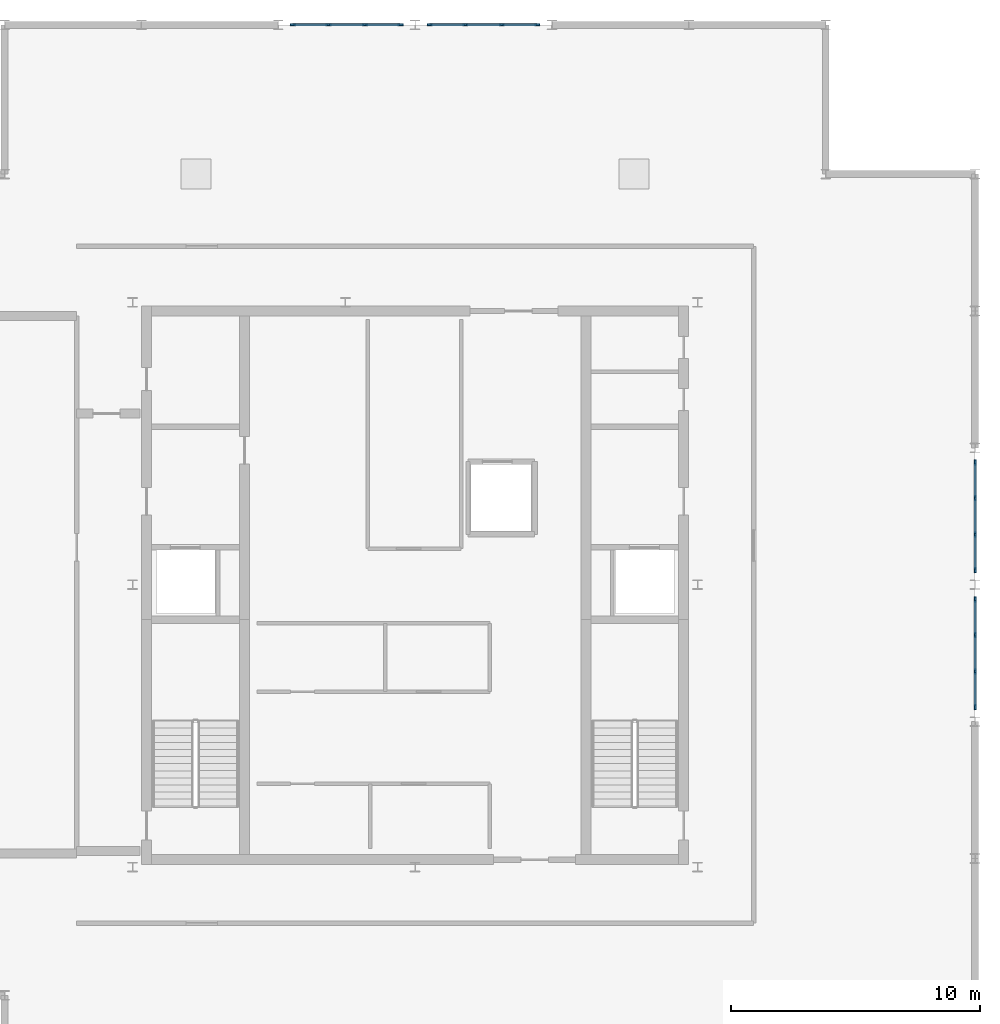
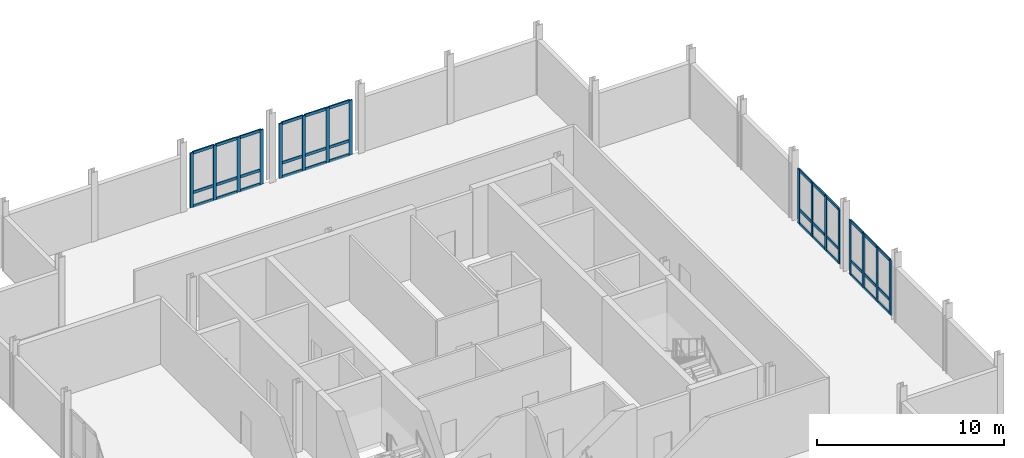
# One storey, part 3 of 7: 52 members, 4 elements without a shape of their own.
"""IFC4 building model written with IfcOpenShell, lengths in metres."""

from ifc_helpers import new_model, si_unit, direction, frame, origin, origin_2d, place, context, subcontext, project, spatial, rectangle, extrude, material, layer, layer_set, material_profile, profile_set, type_object, element, aggregate, save


model = new_model("IFC4")

# Units and contexts
model_context = context("Model", 3, precision=1e-05, world=origin(), true_north=direction((0.0, 1.0)))
body_context = subcontext(model_context, "Body", "Model", "MODEL_VIEW")
ifc_project = project(units=[si_unit("LENGTHUNIT", "METRE"), si_unit("AREAUNIT", "SQUARE_METRE"), si_unit("VOLUMEUNIT", "CUBIC_METRE"), si_unit("PLANEANGLEUNIT", "RADIAN"), si_unit("MASSUNIT", "GRAM", prefix="KILO")], contexts=[model_context])

# Site, building, storey
site_placement = place(None, origin())
site = spatial("IfcSite", under=ifc_project, at=site_placement, CompositionType="ELEMENT")
building_placement = place(site_placement, origin())
building = spatial("IfcBuilding", under=site, at=building_placement, Name="Nhamokura Convention Tower", CompositionType="ELEMENT")
storey_placement = place(building_placement, frame((0.0, 0.0, 326.89990234375)))
storey = spatial("IfcBuildingStorey", under=building, at=storey_placement, Name="L80", CompositionType="ELEMENT", Elevation=326.89990234375)

# Curtain wall, members
ifc_material_1 = material(Name="Anodised bronze aluminium AA6063-T6", Category="aluminium")
ifc_layer = layer(ifc_material_1, 0.2099609375)
ifc_layer_set = layer_set([ifc_layer], Name="CWSystem_SlantedCrown")
curtain_wall_type = type_object("IfcCurtainWallType", Name="CWSystem_SlantedCrown", PredefinedType="NOTDEFINED", material=ifc_layer_set)
curtain_wall_1_placement = place(storey_placement, origin())
curtain_wall_1 = element("IfcCurtainWall", 1, at=curtain_wall_1_placement, inside=storey, type_object=curtain_wall_type, Name="L80 Curtain Wall ENV-L80-CRCW-N2", PredefinedType="NOTDEFINED")
ifc_material_2 = material(Name="Anodised bronze aluminium AA6063-T6", Category="aluminium")
ifc_material_profile_1 = material_profile(ifc_material_2, rectangle(XDim=0.080078125, YDim=0.2099609375, at=origin_2d()))
ifc_profile_set_1 = profile_set([ifc_material_profile_1], Name="Anodised bronze aluminium AA6063-T6")
member_type_1 = type_object("IfcMemberType", Name="CWMullion_4", PredefinedType="MULLION", material=ifc_profile_set_1)
member_1_placement = place(storey_placement, frame((27.090087890625, 54.5, 0.0), z_axis=(0.0, 0.0, 1.0), x_axis=(0.0, 1.0, 0.0)))
member_1 = element("IfcMember", 2, at=member_1_placement, type_object=member_type_1, Name="CW-07 mullion 1", PredefinedType="MULLION", context=body_context, shape_type="SweptSolid", body=[
    extrude(rectangle(XDim=0.080078125, YDim=0.2099609375, at=origin_2d()), origin(), (0.0, 0.0, 1.0), 3.570068359375),
])
member_2_placement = place(storey_placement, frame((28.5166015625, 54.5, 0.0), z_axis=(0.0, 0.0, 1.0), x_axis=(0.0, 1.0, 0.0)))
member_2 = element("IfcMember", 3, at=member_2_placement, type_object=member_type_1, Name="CW-07 mullion 2", PredefinedType="MULLION", context=body_context, shape_type="SweptSolid", body=[
    extrude(rectangle(XDim=0.080078125, YDim=0.2099609375, at=origin_2d()), origin(), (0.0, 0.0, 1.0), 3.570068359375),
])
member_3_placement = place(storey_placement, frame((29.9833984375, 54.5, 0.0), z_axis=(0.0, 0.0, 1.0), x_axis=(0.0, 1.0, 0.0)))
member_3 = element("IfcMember", 4, at=member_3_placement, type_object=member_type_1, Name="CW-07 mullion 3", PredefinedType="MULLION", context=body_context, shape_type="SweptSolid", body=[
    extrude(rectangle(XDim=0.080078125, YDim=0.2099609375, at=origin_2d()), origin(), (0.0, 0.0, 1.0), 3.570068359375),
])
member_4_placement = place(storey_placement, frame((31.409912109375, 54.5, 0.0), z_axis=(0.0, 0.0, 1.0), x_axis=(0.0, 1.0, 0.0)))
member_4 = element("IfcMember", 5, at=member_4_placement, type_object=member_type_1, Name="CW-07 mullion 4", PredefinedType="MULLION", context=body_context, shape_type="SweptSolid", body=[
    extrude(rectangle(XDim=0.080078125, YDim=0.2099609375, at=origin_2d()), origin(), (0.0, 0.0, 1.0), 3.570068359375),
])

curtain_wall_2_placement = place(storey_placement, origin())
curtain_wall_2 = element("IfcCurtainWall", 6, at=curtain_wall_2_placement, inside=storey, type_object=curtain_wall_type, Name="L80 Curtain Wall ENV-L80-CRCW-N3", PredefinedType="NOTDEFINED")
member_5_placement = place(storey_placement, frame((32.590087890625, 54.5, 0.0), z_axis=(0.0, 0.0, 1.0), x_axis=(0.0, 1.0, 0.0)))
member_5 = element("IfcMember", 7, at=member_5_placement, type_object=member_type_1, Name="CW-07 mullion 1", PredefinedType="MULLION", context=body_context, shape_type="SweptSolid", body=[
    extrude(rectangle(XDim=0.080078125, YDim=0.2099609375, at=origin_2d()), origin(), (0.0, 0.0, 1.0), 3.570068359375),
])
member_6_placement = place(storey_placement, frame((34.0166015625, 54.5, 0.0), z_axis=(0.0, 0.0, 1.0), x_axis=(0.0, 1.0, 0.0)))
member_6 = element("IfcMember", 8, at=member_6_placement, type_object=member_type_1, Name="CW-07 mullion 2", PredefinedType="MULLION", context=body_context, shape_type="SweptSolid", body=[
    extrude(rectangle(XDim=0.080078125, YDim=0.2099609375, at=origin_2d()), origin(), (0.0, 0.0, 1.0), 3.570068359375),
])
member_7_placement = place(storey_placement, frame((35.4833984375, 54.5, 0.0), z_axis=(0.0, 0.0, 1.0), x_axis=(0.0, 1.0, 0.0)))
member_7 = element("IfcMember", 9, at=member_7_placement, type_object=member_type_1, Name="CW-07 mullion 3", PredefinedType="MULLION", context=body_context, shape_type="SweptSolid", body=[
    extrude(rectangle(XDim=0.080078125, YDim=0.2099609375, at=origin_2d()), origin(), (0.0, 0.0, 1.0), 3.570068359375),
])
member_8_placement = place(storey_placement, frame((36.909912109375, 54.5, 0.0), z_axis=(0.0, 0.0, 1.0), x_axis=(0.0, 1.0, 0.0)))
member_8 = element("IfcMember", 10, at=member_8_placement, type_object=member_type_1, Name="CW-07 mullion 4", PredefinedType="MULLION", context=body_context, shape_type="SweptSolid", body=[
    extrude(rectangle(XDim=0.080078125, YDim=0.2099609375, at=origin_2d()), origin(), (0.0, 0.0, 1.0), 3.570068359375),
])

curtain_wall_3_placement = place(storey_placement, origin())
curtain_wall_3 = element("IfcCurtainWall", 11, at=curtain_wall_3_placement, inside=storey, type_object=curtain_wall_type, Name="L80 Curtain Wall ENV-L80-CRCW-E2", PredefinedType="NOTDEFINED")
member_9_placement = place(storey_placement, frame((54.5, 31.409912109375, 0.0), z_axis=(0.0, 0.0, 1.0), x_axis=(1.0, 0.0, 0.0)))
member_9 = element("IfcMember", 12, at=member_9_placement, type_object=member_type_1, Name="CW-07 mullion 1", PredefinedType="MULLION", context=body_context, shape_type="SweptSolid", body=[
    extrude(rectangle(XDim=0.080078125, YDim=0.2099609375, at=origin_2d()), origin(), (0.0, 0.0, 1.0), 3.570068359375),
])
member_10_placement = place(storey_placement, frame((54.5, 29.9833984375, 0.0), z_axis=(0.0, 0.0, 1.0), x_axis=(1.0, 0.0, 0.0)))
member_10 = element("IfcMember", 13, at=member_10_placement, type_object=member_type_1, Name="CW-07 mullion 2", PredefinedType="MULLION", context=body_context, shape_type="SweptSolid", body=[
    extrude(rectangle(XDim=0.080078125, YDim=0.2099609375, at=origin_2d()), origin(), (0.0, 0.0, 1.0), 3.570068359375),
])
member_11_placement = place(storey_placement, frame((54.5, 28.5166015625, 0.0), z_axis=(0.0, 0.0, 1.0), x_axis=(1.0, 0.0, 0.0)))
member_11 = element("IfcMember", 14, at=member_11_placement, type_object=member_type_1, Name="CW-07 mullion 3", PredefinedType="MULLION", context=body_context, shape_type="SweptSolid", body=[
    extrude(rectangle(XDim=0.080078125, YDim=0.2099609375, at=origin_2d()), origin(), (0.0, 0.0, 1.0), 3.570068359375),
])
member_12_placement = place(storey_placement, frame((54.5, 27.090087890625, 0.0), z_axis=(0.0, 0.0, 1.0), x_axis=(1.0, 0.0, 0.0)))
member_12 = element("IfcMember", 15, at=member_12_placement, type_object=member_type_1, Name="CW-07 mullion 4", PredefinedType="MULLION", context=body_context, shape_type="SweptSolid", body=[
    extrude(rectangle(XDim=0.080078125, YDim=0.2099609375, at=origin_2d()), origin(), (0.0, 0.0, 1.0), 3.570068359375),
])

curtain_wall_4_placement = place(storey_placement, origin())
curtain_wall_4 = element("IfcCurtainWall", 16, at=curtain_wall_4_placement, inside=storey, type_object=curtain_wall_type, Name="L80 Curtain Wall ENV-L80-CRCW-E3", PredefinedType="NOTDEFINED")
member_13_placement = place(storey_placement, frame((54.5, 36.909912109375, 0.0), z_axis=(0.0, 0.0, 1.0), x_axis=(1.0, 0.0, 0.0)))
member_13 = element("IfcMember", 17, at=member_13_placement, type_object=member_type_1, Name="CW-07 mullion 1", PredefinedType="MULLION", context=body_context, shape_type="SweptSolid", body=[
    extrude(rectangle(XDim=0.080078125, YDim=0.2099609375, at=origin_2d()), origin(), (0.0, 0.0, 1.0), 3.570068359375),
])
member_14_placement = place(storey_placement, frame((54.5, 35.4833984375, 0.0), z_axis=(0.0, 0.0, 1.0), x_axis=(1.0, 0.0, 0.0)))
member_14 = element("IfcMember", 18, at=member_14_placement, type_object=member_type_1, Name="CW-07 mullion 2", PredefinedType="MULLION", context=body_context, shape_type="SweptSolid", body=[
    extrude(rectangle(XDim=0.080078125, YDim=0.2099609375, at=origin_2d()), origin(), (0.0, 0.0, 1.0), 3.570068359375),
])
member_15_placement = place(storey_placement, frame((54.5, 34.0166015625, 0.0), z_axis=(0.0, 0.0, 1.0), x_axis=(1.0, 0.0, 0.0)))
member_15 = element("IfcMember", 19, at=member_15_placement, type_object=member_type_1, Name="CW-07 mullion 3", PredefinedType="MULLION", context=body_context, shape_type="SweptSolid", body=[
    extrude(rectangle(XDim=0.080078125, YDim=0.2099609375, at=origin_2d()), origin(), (0.0, 0.0, 1.0), 3.570068359375),
])
member_16_placement = place(storey_placement, frame((54.5, 32.590087890625, 0.0), z_axis=(0.0, 0.0, 1.0), x_axis=(1.0, 0.0, 0.0)))
member_16 = element("IfcMember", 20, at=member_16_placement, type_object=member_type_1, Name="CW-07 mullion 4", PredefinedType="MULLION", context=body_context, shape_type="SweptSolid", body=[
    extrude(rectangle(XDim=0.080078125, YDim=0.2099609375, at=origin_2d()), origin(), (0.0, 0.0, 1.0), 3.570068359375),
])

# Member
ifc_material_3 = material(Name="Anodised bronze aluminium AA6063-T6", Category="aluminium")
ifc_material_profile_2 = material_profile(ifc_material_3, rectangle(XDim=0.080078125, YDim=0.18505859375, at=origin_2d()))
ifc_profile_set_2 = profile_set([ifc_material_profile_2], Name="Anodised bronze aluminium AA6063-T6")
member_type_2 = type_object("IfcMemberType", Name="CWTransom_4", PredefinedType="USERDEFINED", material=ifc_profile_set_2)
member_17_placement = place(storey_placement, frame((27.1298828125, 54.5, 0.0400390625), z_axis=(1.0, 0.0, 0.0), x_axis=(0.0, 1.0, 0.0)))
member_17 = element("IfcMember", 21, at=member_17_placement, type_object=member_type_2, Name="CW-07 transom 1.1", ObjectType="TRANSOM", PredefinedType="USERDEFINED", context=body_context, shape_type="SweptSolid", body=[
    extrude(rectangle(XDim=0.080078125, YDim=0.18505859375, at=origin_2d()), origin(), (0.0, 0.0, 1.0), 1.3466796875),
])

member_18_placement = place(storey_placement, frame((27.1298828125, 54.5, 0.9501953125), z_axis=(1.0, 0.0, 0.0), x_axis=(0.0, 1.0, 0.0)))
member_18 = element("IfcMember", 22, at=member_18_placement, type_object=member_type_2, Name="CW-07 transom 1.2", ObjectType="TRANSOM", PredefinedType="USERDEFINED", context=body_context, shape_type="SweptSolid", body=[
    extrude(rectangle(XDim=0.080078125, YDim=0.18505859375, at=origin_2d()), origin(), (0.0, 0.0, 1.0), 1.3466796875),
])

member_19_placement = place(storey_placement, frame((27.1298828125, 54.5, 3.530029296875), z_axis=(1.0, 0.0, 0.0), x_axis=(0.0, 1.0, 0.0)))
member_19 = element("IfcMember", 23, at=member_19_placement, type_object=member_type_2, Name="CW-07 transom 1.3", ObjectType="TRANSOM", PredefinedType="USERDEFINED", context=body_context, shape_type="SweptSolid", body=[
    extrude(rectangle(XDim=0.080078125, YDim=0.18505859375, at=origin_2d()), origin(), (0.0, 0.0, 1.0), 1.3466796875),
])

member_20_placement = place(storey_placement, frame((28.556640625, 54.5, 0.0400390625), z_axis=(1.0, 0.0, 0.0), x_axis=(0.0, 1.0, 0.0)))
member_20 = element("IfcMember", 24, at=member_20_placement, type_object=member_type_2, Name="CW-07 transom 2.1", ObjectType="TRANSOM", PredefinedType="USERDEFINED", context=body_context, shape_type="SweptSolid", body=[
    extrude(rectangle(XDim=0.080078125, YDim=0.18505859375, at=origin_2d()), origin(), (0.0, 0.0, 1.0), 1.38671875),
])

member_21_placement = place(storey_placement, frame((28.556640625, 54.5, 0.9501953125), z_axis=(1.0, 0.0, 0.0), x_axis=(0.0, 1.0, 0.0)))
member_21 = element("IfcMember", 25, at=member_21_placement, type_object=member_type_2, Name="CW-07 transom 2.2", ObjectType="TRANSOM", PredefinedType="USERDEFINED", context=body_context, shape_type="SweptSolid", body=[
    extrude(rectangle(XDim=0.080078125, YDim=0.18505859375, at=origin_2d()), origin(), (0.0, 0.0, 1.0), 1.38671875),
])

member_22_placement = place(storey_placement, frame((28.556640625, 54.5, 3.530029296875), z_axis=(1.0, 0.0, 0.0), x_axis=(0.0, 1.0, 0.0)))
member_22 = element("IfcMember", 26, at=member_22_placement, type_object=member_type_2, Name="CW-07 transom 2.3", ObjectType="TRANSOM", PredefinedType="USERDEFINED", context=body_context, shape_type="SweptSolid", body=[
    extrude(rectangle(XDim=0.080078125, YDim=0.18505859375, at=origin_2d()), origin(), (0.0, 0.0, 1.0), 1.38671875),
])

member_23_placement = place(storey_placement, frame((30.0234375, 54.5, 0.0400390625), z_axis=(1.0, 0.0, 0.0), x_axis=(0.0, 1.0, 0.0)))
member_23 = element("IfcMember", 27, at=member_23_placement, type_object=member_type_2, Name="CW-07 transom 3.1", ObjectType="TRANSOM", PredefinedType="USERDEFINED", context=body_context, shape_type="SweptSolid", body=[
    extrude(rectangle(XDim=0.080078125, YDim=0.18505859375, at=origin_2d()), origin(), (0.0, 0.0, 1.0), 1.3466796875),
])

member_24_placement = place(storey_placement, frame((30.0234375, 54.5, 0.9501953125), z_axis=(1.0, 0.0, 0.0), x_axis=(0.0, 1.0, 0.0)))
member_24 = element("IfcMember", 28, at=member_24_placement, type_object=member_type_2, Name="CW-07 transom 3.2", ObjectType="TRANSOM", PredefinedType="USERDEFINED", context=body_context, shape_type="SweptSolid", body=[
    extrude(rectangle(XDim=0.080078125, YDim=0.18505859375, at=origin_2d()), origin(), (0.0, 0.0, 1.0), 1.3466796875),
])

member_25_placement = place(storey_placement, frame((30.0234375, 54.5, 3.530029296875), z_axis=(1.0, 0.0, 0.0), x_axis=(0.0, 1.0, 0.0)))
member_25 = element("IfcMember", 29, at=member_25_placement, type_object=member_type_2, Name="CW-07 transom 3.3", ObjectType="TRANSOM", PredefinedType="USERDEFINED", context=body_context, shape_type="SweptSolid", body=[
    extrude(rectangle(XDim=0.080078125, YDim=0.18505859375, at=origin_2d()), origin(), (0.0, 0.0, 1.0), 1.3466796875),
])

aggregate(curtain_wall_1, [member_1, member_2, member_3, member_4, member_17, member_18, member_19, member_20, member_21, member_22, member_23, member_24, member_25])

member_26_placement = place(storey_placement, frame((32.6298828125, 54.5, 0.0400390625), z_axis=(1.0, 0.0, 0.0), x_axis=(0.0, 1.0, 0.0)))
member_26 = element("IfcMember", 30, at=member_26_placement, type_object=member_type_2, Name="CW-07 transom 1.1", ObjectType="TRANSOM", PredefinedType="USERDEFINED", context=body_context, shape_type="SweptSolid", body=[
    extrude(rectangle(XDim=0.080078125, YDim=0.18505859375, at=origin_2d()), origin(), (0.0, 0.0, 1.0), 1.3466796875),
])

member_27_placement = place(storey_placement, frame((32.6298828125, 54.5, 0.9501953125), z_axis=(1.0, 0.0, 0.0), x_axis=(0.0, 1.0, 0.0)))
member_27 = element("IfcMember", 31, at=member_27_placement, type_object=member_type_2, Name="CW-07 transom 1.2", ObjectType="TRANSOM", PredefinedType="USERDEFINED", context=body_context, shape_type="SweptSolid", body=[
    extrude(rectangle(XDim=0.080078125, YDim=0.18505859375, at=origin_2d()), origin(), (0.0, 0.0, 1.0), 1.3466796875),
])

member_28_placement = place(storey_placement, frame((32.6298828125, 54.5, 3.530029296875), z_axis=(1.0, 0.0, 0.0), x_axis=(0.0, 1.0, 0.0)))
member_28 = element("IfcMember", 32, at=member_28_placement, type_object=member_type_2, Name="CW-07 transom 1.3", ObjectType="TRANSOM", PredefinedType="USERDEFINED", context=body_context, shape_type="SweptSolid", body=[
    extrude(rectangle(XDim=0.080078125, YDim=0.18505859375, at=origin_2d()), origin(), (0.0, 0.0, 1.0), 1.3466796875),
])

member_29_placement = place(storey_placement, frame((34.056640625, 54.5, 0.0400390625), z_axis=(1.0, 0.0, 0.0), x_axis=(0.0, 1.0, 0.0)))
member_29 = element("IfcMember", 33, at=member_29_placement, type_object=member_type_2, Name="CW-07 transom 2.1", ObjectType="TRANSOM", PredefinedType="USERDEFINED", context=body_context, shape_type="SweptSolid", body=[
    extrude(rectangle(XDim=0.080078125, YDim=0.18505859375, at=origin_2d()), origin(), (0.0, 0.0, 1.0), 1.38671875),
])

member_30_placement = place(storey_placement, frame((34.056640625, 54.5, 0.9501953125), z_axis=(1.0, 0.0, 0.0), x_axis=(0.0, 1.0, 0.0)))
member_30 = element("IfcMember", 34, at=member_30_placement, type_object=member_type_2, Name="CW-07 transom 2.2", ObjectType="TRANSOM", PredefinedType="USERDEFINED", context=body_context, shape_type="SweptSolid", body=[
    extrude(rectangle(XDim=0.080078125, YDim=0.18505859375, at=origin_2d()), origin(), (0.0, 0.0, 1.0), 1.38671875),
])

member_31_placement = place(storey_placement, frame((34.056640625, 54.5, 3.530029296875), z_axis=(1.0, 0.0, 0.0), x_axis=(0.0, 1.0, 0.0)))
member_31 = element("IfcMember", 35, at=member_31_placement, type_object=member_type_2, Name="CW-07 transom 2.3", ObjectType="TRANSOM", PredefinedType="USERDEFINED", context=body_context, shape_type="SweptSolid", body=[
    extrude(rectangle(XDim=0.080078125, YDim=0.18505859375, at=origin_2d()), origin(), (0.0, 0.0, 1.0), 1.38671875),
])

member_32_placement = place(storey_placement, frame((35.5234375, 54.5, 0.0400390625), z_axis=(1.0, 0.0, 0.0), x_axis=(0.0, 1.0, 0.0)))
member_32 = element("IfcMember", 36, at=member_32_placement, type_object=member_type_2, Name="CW-07 transom 3.1", ObjectType="TRANSOM", PredefinedType="USERDEFINED", context=body_context, shape_type="SweptSolid", body=[
    extrude(rectangle(XDim=0.080078125, YDim=0.18505859375, at=origin_2d()), origin(), (0.0, 0.0, 1.0), 1.3466796875),
])

member_33_placement = place(storey_placement, frame((35.5234375, 54.5, 0.9501953125), z_axis=(1.0, 0.0, 0.0), x_axis=(0.0, 1.0, 0.0)))
member_33 = element("IfcMember", 37, at=member_33_placement, type_object=member_type_2, Name="CW-07 transom 3.2", ObjectType="TRANSOM", PredefinedType="USERDEFINED", context=body_context, shape_type="SweptSolid", body=[
    extrude(rectangle(XDim=0.080078125, YDim=0.18505859375, at=origin_2d()), origin(), (0.0, 0.0, 1.0), 1.3466796875),
])

member_34_placement = place(storey_placement, frame((35.5234375, 54.5, 3.530029296875), z_axis=(1.0, 0.0, 0.0), x_axis=(0.0, 1.0, 0.0)))
member_34 = element("IfcMember", 38, at=member_34_placement, type_object=member_type_2, Name="CW-07 transom 3.3", ObjectType="TRANSOM", PredefinedType="USERDEFINED", context=body_context, shape_type="SweptSolid", body=[
    extrude(rectangle(XDim=0.080078125, YDim=0.18505859375, at=origin_2d()), origin(), (0.0, 0.0, 1.0), 1.3466796875),
])

aggregate(curtain_wall_2, [member_5, member_6, member_7, member_8, member_26, member_27, member_28, member_29, member_30, member_31, member_32, member_33, member_34])

member_35_placement = place(storey_placement, frame((54.5, 31.3701171875, 0.0400390625), z_axis=(0.0, -1.0, 0.0), x_axis=(1.0, 0.0, 0.0)))
member_35 = element("IfcMember", 39, at=member_35_placement, type_object=member_type_2, Name="CW-07 transom 1.1", ObjectType="TRANSOM", PredefinedType="USERDEFINED", context=body_context, shape_type="SweptSolid", body=[
    extrude(rectangle(XDim=0.080078125, YDim=0.18505859375, at=origin_2d()), origin(), (0.0, 0.0, 1.0), 1.3466796875),
])

member_36_placement = place(storey_placement, frame((54.5, 31.3701171875, 0.9501953125), z_axis=(0.0, -1.0, 0.0), x_axis=(1.0, 0.0, 0.0)))
member_36 = element("IfcMember", 40, at=member_36_placement, type_object=member_type_2, Name="CW-07 transom 1.2", ObjectType="TRANSOM", PredefinedType="USERDEFINED", context=body_context, shape_type="SweptSolid", body=[
    extrude(rectangle(XDim=0.080078125, YDim=0.18505859375, at=origin_2d()), origin(), (0.0, 0.0, 1.0), 1.3466796875),
])

member_37_placement = place(storey_placement, frame((54.5, 31.3701171875, 3.530029296875), z_axis=(0.0, -1.0, 0.0), x_axis=(1.0, 0.0, 0.0)))
member_37 = element("IfcMember", 41, at=member_37_placement, type_object=member_type_2, Name="CW-07 transom 1.3", ObjectType="TRANSOM", PredefinedType="USERDEFINED", context=body_context, shape_type="SweptSolid", body=[
    extrude(rectangle(XDim=0.080078125, YDim=0.18505859375, at=origin_2d()), origin(), (0.0, 0.0, 1.0), 1.3466796875),
])

member_38_placement = place(storey_placement, frame((54.5, 29.943359375, 0.0400390625), z_axis=(0.0, -1.0, 0.0), x_axis=(1.0, 0.0, 0.0)))
member_38 = element("IfcMember", 42, at=member_38_placement, type_object=member_type_2, Name="CW-07 transom 2.1", ObjectType="TRANSOM", PredefinedType="USERDEFINED", context=body_context, shape_type="SweptSolid", body=[
    extrude(rectangle(XDim=0.080078125, YDim=0.18505859375, at=origin_2d()), origin(), (0.0, 0.0, 1.0), 1.38671875),
])

member_39_placement = place(storey_placement, frame((54.5, 29.943359375, 0.9501953125), z_axis=(0.0, -1.0, 0.0), x_axis=(1.0, 0.0, 0.0)))
member_39 = element("IfcMember", 43, at=member_39_placement, type_object=member_type_2, Name="CW-07 transom 2.2", ObjectType="TRANSOM", PredefinedType="USERDEFINED", context=body_context, shape_type="SweptSolid", body=[
    extrude(rectangle(XDim=0.080078125, YDim=0.18505859375, at=origin_2d()), origin(), (0.0, 0.0, 1.0), 1.38671875),
])

member_40_placement = place(storey_placement, frame((54.5, 29.943359375, 3.530029296875), z_axis=(0.0, -1.0, 0.0), x_axis=(1.0, 0.0, 0.0)))
member_40 = element("IfcMember", 44, at=member_40_placement, type_object=member_type_2, Name="CW-07 transom 2.3", ObjectType="TRANSOM", PredefinedType="USERDEFINED", context=body_context, shape_type="SweptSolid", body=[
    extrude(rectangle(XDim=0.080078125, YDim=0.18505859375, at=origin_2d()), origin(), (0.0, 0.0, 1.0), 1.38671875),
])

member_41_placement = place(storey_placement, frame((54.5, 28.4765625, 0.0400390625), z_axis=(0.0, -1.0, 0.0), x_axis=(1.0, 0.0, 0.0)))
member_41 = element("IfcMember", 45, at=member_41_placement, type_object=member_type_2, Name="CW-07 transom 3.1", ObjectType="TRANSOM", PredefinedType="USERDEFINED", context=body_context, shape_type="SweptSolid", body=[
    extrude(rectangle(XDim=0.080078125, YDim=0.18505859375, at=origin_2d()), origin(), (0.0, 0.0, 1.0), 1.3466796875),
])

member_42_placement = place(storey_placement, frame((54.5, 28.4765625, 0.9501953125), z_axis=(0.0, -1.0, 0.0), x_axis=(1.0, 0.0, 0.0)))
member_42 = element("IfcMember", 46, at=member_42_placement, type_object=member_type_2, Name="CW-07 transom 3.2", ObjectType="TRANSOM", PredefinedType="USERDEFINED", context=body_context, shape_type="SweptSolid", body=[
    extrude(rectangle(XDim=0.080078125, YDim=0.18505859375, at=origin_2d()), origin(), (0.0, 0.0, 1.0), 1.3466796875),
])

member_43_placement = place(storey_placement, frame((54.5, 28.4765625, 3.530029296875), z_axis=(0.0, -1.0, 0.0), x_axis=(1.0, 0.0, 0.0)))
member_43 = element("IfcMember", 47, at=member_43_placement, type_object=member_type_2, Name="CW-07 transom 3.3", ObjectType="TRANSOM", PredefinedType="USERDEFINED", context=body_context, shape_type="SweptSolid", body=[
    extrude(rectangle(XDim=0.080078125, YDim=0.18505859375, at=origin_2d()), origin(), (0.0, 0.0, 1.0), 1.3466796875),
])

aggregate(curtain_wall_3, [member_9, member_10, member_11, member_12, member_35, member_36, member_37, member_38, member_39, member_40, member_41, member_42, member_43])

member_44_placement = place(storey_placement, frame((54.5, 36.8701171875, 0.0400390625), z_axis=(0.0, -1.0, 0.0), x_axis=(1.0, 0.0, 0.0)))
member_44 = element("IfcMember", 48, at=member_44_placement, type_object=member_type_2, Name="CW-07 transom 1.1", ObjectType="TRANSOM", PredefinedType="USERDEFINED", context=body_context, shape_type="SweptSolid", body=[
    extrude(rectangle(XDim=0.080078125, YDim=0.18505859375, at=origin_2d()), origin(), (0.0, 0.0, 1.0), 1.3466796875),
])

member_45_placement = place(storey_placement, frame((54.5, 36.8701171875, 0.9501953125), z_axis=(0.0, -1.0, 0.0), x_axis=(1.0, 0.0, 0.0)))
member_45 = element("IfcMember", 49, at=member_45_placement, type_object=member_type_2, Name="CW-07 transom 1.2", ObjectType="TRANSOM", PredefinedType="USERDEFINED", context=body_context, shape_type="SweptSolid", body=[
    extrude(rectangle(XDim=0.080078125, YDim=0.18505859375, at=origin_2d()), origin(), (0.0, 0.0, 1.0), 1.3466796875),
])

member_46_placement = place(storey_placement, frame((54.5, 36.8701171875, 3.530029296875), z_axis=(0.0, -1.0, 0.0), x_axis=(1.0, 0.0, 0.0)))
member_46 = element("IfcMember", 50, at=member_46_placement, type_object=member_type_2, Name="CW-07 transom 1.3", ObjectType="TRANSOM", PredefinedType="USERDEFINED", context=body_context, shape_type="SweptSolid", body=[
    extrude(rectangle(XDim=0.080078125, YDim=0.18505859375, at=origin_2d()), origin(), (0.0, 0.0, 1.0), 1.3466796875),
])

member_47_placement = place(storey_placement, frame((54.5, 35.443359375, 0.0400390625), z_axis=(0.0, -1.0, 0.0), x_axis=(1.0, 0.0, 0.0)))
member_47 = element("IfcMember", 51, at=member_47_placement, type_object=member_type_2, Name="CW-07 transom 2.1", ObjectType="TRANSOM", PredefinedType="USERDEFINED", context=body_context, shape_type="SweptSolid", body=[
    extrude(rectangle(XDim=0.080078125, YDim=0.18505859375, at=origin_2d()), origin(), (0.0, 0.0, 1.0), 1.38671875),
])

member_48_placement = place(storey_placement, frame((54.5, 35.443359375, 0.9501953125), z_axis=(0.0, -1.0, 0.0), x_axis=(1.0, 0.0, 0.0)))
member_48 = element("IfcMember", 52, at=member_48_placement, type_object=member_type_2, Name="CW-07 transom 2.2", ObjectType="TRANSOM", PredefinedType="USERDEFINED", context=body_context, shape_type="SweptSolid", body=[
    extrude(rectangle(XDim=0.080078125, YDim=0.18505859375, at=origin_2d()), origin(), (0.0, 0.0, 1.0), 1.38671875),
])

member_49_placement = place(storey_placement, frame((54.5, 35.443359375, 3.530029296875), z_axis=(0.0, -1.0, 0.0), x_axis=(1.0, 0.0, 0.0)))
member_49 = element("IfcMember", 53, at=member_49_placement, type_object=member_type_2, Name="CW-07 transom 2.3", ObjectType="TRANSOM", PredefinedType="USERDEFINED", context=body_context, shape_type="SweptSolid", body=[
    extrude(rectangle(XDim=0.080078125, YDim=0.18505859375, at=origin_2d()), origin(), (0.0, 0.0, 1.0), 1.38671875),
])

member_50_placement = place(storey_placement, frame((54.5, 33.9765625, 0.0400390625), z_axis=(0.0, -1.0, 0.0), x_axis=(1.0, 0.0, 0.0)))
member_50 = element("IfcMember", 54, at=member_50_placement, type_object=member_type_2, Name="CW-07 transom 3.1", ObjectType="TRANSOM", PredefinedType="USERDEFINED", context=body_context, shape_type="SweptSolid", body=[
    extrude(rectangle(XDim=0.080078125, YDim=0.18505859375, at=origin_2d()), origin(), (0.0, 0.0, 1.0), 1.3466796875),
])

member_51_placement = place(storey_placement, frame((54.5, 33.9765625, 0.9501953125), z_axis=(0.0, -1.0, 0.0), x_axis=(1.0, 0.0, 0.0)))
member_51 = element("IfcMember", 55, at=member_51_placement, type_object=member_type_2, Name="CW-07 transom 3.2", ObjectType="TRANSOM", PredefinedType="USERDEFINED", context=body_context, shape_type="SweptSolid", body=[
    extrude(rectangle(XDim=0.080078125, YDim=0.18505859375, at=origin_2d()), origin(), (0.0, 0.0, 1.0), 1.3466796875),
])

member_52_placement = place(storey_placement, frame((54.5, 33.9765625, 3.530029296875), z_axis=(0.0, -1.0, 0.0), x_axis=(1.0, 0.0, 0.0)))
member_52 = element("IfcMember", 56, at=member_52_placement, type_object=member_type_2, Name="CW-07 transom 3.3", ObjectType="TRANSOM", PredefinedType="USERDEFINED", context=body_context, shape_type="SweptSolid", body=[
    extrude(rectangle(XDim=0.080078125, YDim=0.18505859375, at=origin_2d()), origin(), (0.0, 0.0, 1.0), 1.3466796875),
])

aggregate(curtain_wall_4, [member_13, member_14, member_15, member_16, member_44, member_45, member_46, member_47, member_48, member_49, member_50, member_51, member_52])

save(model, "model.ifc")
